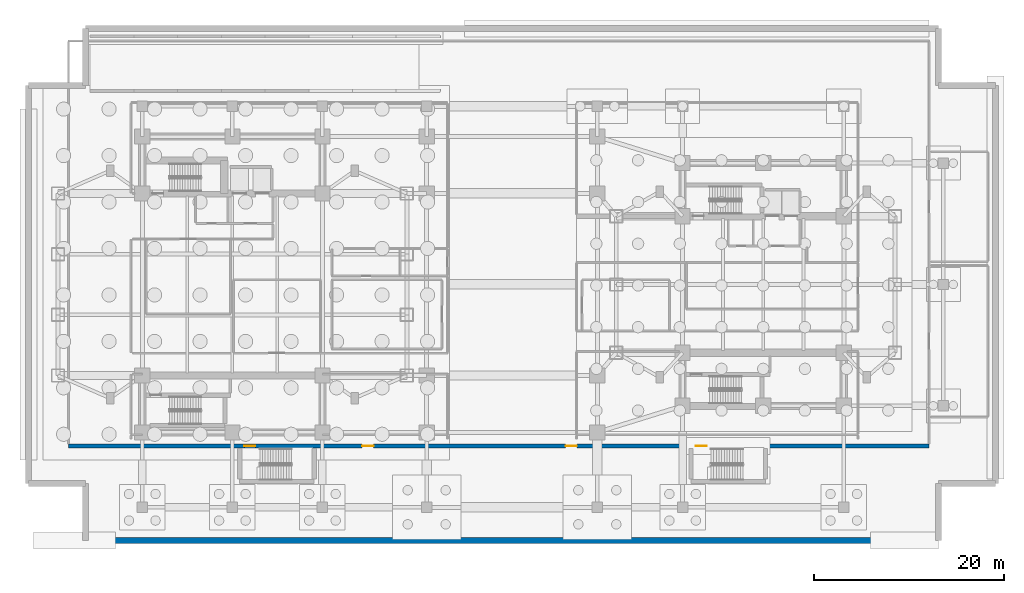
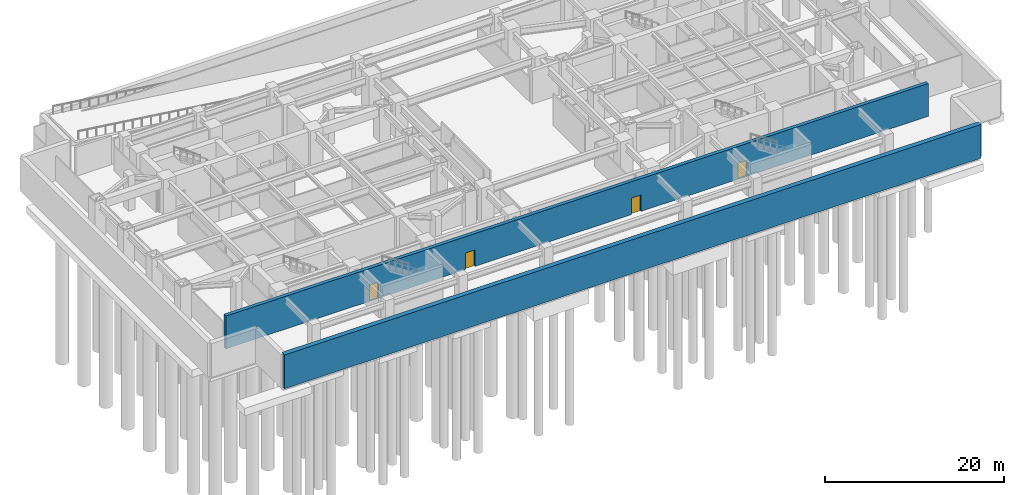
# One storey, part 6 of 16: 4 doors, 2 walls, 4 openings.
"""IFC4 building model written with IfcOpenShell, lengths in metres."""

import ifcopenshell
import ifcopenshell.guid

model = None  # the IFC model being written
_history = None  # IfcOwnerHistory: only IFC2X3 demands one
_inside = {}  # id of a spatial element -> (the spatial element, [elements in it])
_under = {}  # id of a project, library or spatial element -> (it, [spatial elements below it])
_declared = {}  # id of a project -> (the project, [libraries it declares])
_typed = {}  # id of a type object -> (the type object, [elements of that type])
_made_of = {}  # id of a material, layer set ... -> (it, [elements and type objects made of it])


def new_model(schema):
    """Start an empty IFC model of exactly this schema.

    Asked for "IFC4X3", IfcOpenShell would pick the latest addendum, in which some entities
    have other attributes; the version numbers below select the first issue.
    IFC2X3 requires an IfcOwnerHistory on every rooted entity: one is made here for all.
    """
    global model, _history
    if schema == "IFC4X3":
        model = ifcopenshell.file(schema_version=(4, 3, 0, 0))
    else:
        model = ifcopenshell.file(schema=schema)
    _inside.clear()
    _under.clear()
    _declared.clear()
    _typed.clear()
    _made_of.clear()
    _history = None
    if model.schema == "IFC2X3":
        org = make("IfcOrganization", Name="unknown")
        user = make(
            "IfcPersonAndOrganization",
            ThePerson=make("IfcPerson", FamilyName="unknown"),
            TheOrganization=org,
        )
        app = make(
            "IfcApplication",
            ApplicationDeveloper=org,
            Version="unknown",
            ApplicationFullName="unknown",
            ApplicationIdentifier="unknown",
        )
        _history = make(
            "IfcOwnerHistory",
            OwningUser=user,
            OwningApplication=app,
            ChangeAction="ADDED",
            CreationDate=0,
        )
    return model


def make(cls, **values):
    """One entity of the class cls with the attributes given. An attribute that is None is left unset."""
    return model.create_entity(
        cls, **{name: value for name, value in values.items() if value is not None}
    )


def rooted(cls, **values):
    """An entity with a GlobalId (a new one), such as an element, a storey or a relation."""
    return make(cls, GlobalId=ifcopenshell.guid.new(), OwnerHistory=_history, **values)


def si_unit(unit_type, name, prefix=None):
    """IfcSIUnit, for example si_unit("LENGTHUNIT", "METRE", prefix="MILLI")."""
    return make("IfcSIUnit", UnitType=unit_type, Prefix=prefix, Name=name)


def assignment(units):
    """IfcUnitAssignment: the units of a project."""
    return None if units is None else make("IfcUnitAssignment", Units=units)


def point(xyz):
    """IfcCartesianPoint."""
    return None if xyz is None else make("IfcCartesianPoint", Coordinates=xyz)


def direction(xyz):
    """IfcDirection."""
    return None if xyz is None else make("IfcDirection", DirectionRatios=xyz)


def frame(location, z_axis=None, x_axis=None):
    """IfcAxis2Placement3D, a coordinate frame: its origin and axes. An axis left out is left unset."""
    return make(
        "IfcAxis2Placement3D",
        Location=point(location),
        Axis=direction(z_axis),
        RefDirection=direction(x_axis),
    )


def frame_2d(location, x_axis=None):
    """IfcAxis2Placement2D, a coordinate frame in the plane: its origin and x axis."""
    return make(
        "IfcAxis2Placement2D", Location=point(location), RefDirection=direction(x_axis)
    )


def origin():
    """The frame at (0, 0, 0) with its axes left unset."""
    return frame((0.0, 0.0, 0.0))


def place(relative_to, where):
    """IfcLocalPlacement: puts the frame where relative to a parent placement (None: the world)."""
    return make(
        "IfcLocalPlacement", PlacementRelTo=relative_to, RelativePlacement=where
    )


def context(
    kind, dimensions, precision=None, world=None, true_north=None, identifier=None
):
    """IfcGeometricRepresentationContext, for example the 3D "Model" context."""
    return make(
        "IfcGeometricRepresentationContext",
        ContextIdentifier=identifier,
        ContextType=kind,
        CoordinateSpaceDimension=dimensions,
        Precision=precision,
        WorldCoordinateSystem=world,
        TrueNorth=true_north,
    )


def subcontext(parent, identifier, kind, view, scale=None):
    """IfcGeometricRepresentationSubContext, for example "Body" below "Model"."""
    return make(
        "IfcGeometricRepresentationSubContext",
        ContextIdentifier=identifier,
        ContextType=kind,
        ParentContext=parent,
        TargetScale=scale,
        TargetView=view,
    )


def project(units=None, contexts=None):
    """IfcProject with its units and contexts."""
    return rooted(
        "IfcProject",
        Name="project",
        RepresentationContexts=contexts,
        UnitsInContext=assignment(units),
    )


def spatial(cls, under=None, at=None, **own):
    """A site, building, storey or space (cls), placed at a placement, below another one or the project."""
    s = rooted(cls, ObjectPlacement=at, **own)
    if under is not None:
        _under.setdefault(under.id(), (under, []))[1].append(s)
    return s


def profile(cls, at=None, kind="AREA", **sizes):
    """A parametric profile (cls). Its sizes go by their IFC names, for example OverallWidth=200.0."""
    return make(cls, ProfileType=kind, Position=at, **sizes)


def rectangle(**sizes):
    """IfcRectangleProfileDef."""
    return profile("IfcRectangleProfileDef", **sizes)


def extrude(swept, where, along, depth):
    """IfcExtrudedAreaSolid: the profile swept, set in the frame where, extruded along a direction by depth."""
    return make(
        "IfcExtrudedAreaSolid",
        SweptArea=swept,
        Position=where,
        ExtrudedDirection=direction(along),
        Depth=depth,
    )


def shape(context_of_items, identifier, shape_type, items):
    """IfcShapeRepresentation: the items that make up one representation, for example the "Body"."""
    return make(
        "IfcShapeRepresentation",
        ContextOfItems=context_of_items,
        RepresentationIdentifier=identifier,
        RepresentationType=shape_type,
        Items=items,
    )


def material(Name=None, Category=None):
    """IfcMaterial."""
    return make("IfcMaterial", Name=Name, Category=Category)


def layer(
    of_material, thickness, ventilated=None, Name=None, Category=None, Priority=None
):
    """IfcMaterialLayer: one layer of a wall or slab, of a material (None: an air gap)."""
    return make(
        "IfcMaterialLayer",
        Material=of_material,
        LayerThickness=thickness,
        IsVentilated=ventilated,
        Name=Name,
        Category=Category,
        Priority=Priority,
    )


def layer_set(layers, Name=None):
    """IfcMaterialLayerSet."""
    return make("IfcMaterialLayerSet", MaterialLayers=layers, LayerSetName=Name)


def made_of(thing, what):
    """Note that an element or type object is made of a material, layer set ...; save() writes the relation."""
    if what is not None:
        _made_of.setdefault(what.id(), (what, []))[1].append(thing)
    return thing


def type_object(cls, material=None, **own):
    """A type object (cls), such as IfcWallType, which elements share."""
    return made_of(rooted(cls, **own), material)


def element(
    cls,
    number,
    at=None,
    inside=None,
    cuts=None,
    type_object=None,
    material=None,
    context=None,
    identifier="Body",
    shape_type=None,
    held_by="IfcProductDefinitionShape",
    body=None,
    shapes=None,
    **own,
):
    """One element of the class cls, such as IfcWall. Its Tag is "e" and its number.

    at: its placement. inside: the storey or other place that contains it. cuts: it is an
    opening in that element (IfcRelVoidsElement). A single representation is given by context,
    identifier, shape_type and body (its items); several are given by shapes. held_by: the class
    of the entity that holds the representations. save() writes the other relations.
    """
    e = rooted(cls, Tag="e%d" % number, ObjectPlacement=at, **own)
    if body is not None:
        shapes = [shape(context, identifier, shape_type, body)]
    if shapes is not None:
        e.Representation = make(held_by, Representations=shapes)
    if inside is not None:
        _inside.setdefault(inside.id(), (inside, []))[1].append(e)
    if cuts is not None:
        rooted(
            "IfcRelVoidsElement", RelatingBuildingElement=cuts, RelatedOpeningElement=e
        )
    if type_object is not None:
        _typed.setdefault(type_object.id(), (type_object, []))[1].append(e)
    return made_of(e, material)


def fill(opening, filler):
    """IfcRelFillsElement: the door or window that sits in an opening."""
    return rooted(
        "IfcRelFillsElement",
        RelatingOpeningElement=opening,
        RelatedBuildingElement=filler,
    )


def aggregate(whole, parts):
    """IfcRelAggregates: a whole, such as a stair, and the parts it consists of."""
    return rooted("IfcRelAggregates", RelatingObject=whole, RelatedObjects=parts)


def save(model, path):
    """Write the relations noted so far, then the file.

    IfcRelAggregates (storeys below a building ...), IfcRelContainedInSpatialStructure (elements
    in a storey), IfcRelDefinesByType, IfcRelAssociatesMaterial and IfcRelDeclares: one each for
    every whole, place, type object, material and project.
    """
    for whole, parts in _under.values():
        aggregate(whole, parts)
    for where, things in _inside.values():
        rooted(
            "IfcRelContainedInSpatialStructure",
            RelatedElements=things,
            RelatingStructure=where,
        )
    for kind, things in _typed.values():
        rooted("IfcRelDefinesByType", RelatedObjects=things, RelatingType=kind)
    for what, things in _made_of.values():
        rooted("IfcRelAssociatesMaterial", RelatedObjects=things, RelatingMaterial=what)
    for by, libraries in _declared.values():
        rooted("IfcRelDeclares", RelatingContext=by, RelatedDefinitions=libraries)
    model.write(path)


model = new_model("IFC4")

# Units and contexts
model_context = context("Model", 3, precision=1e-05, world=origin(), true_north=direction((0.0, 1.0)))
body_context = subcontext(model_context, "Body", "Model", "MODEL_VIEW")
ifc_project = project(units=[si_unit("LENGTHUNIT", "METRE"), si_unit("AREAUNIT", "SQUARE_METRE"), si_unit("VOLUMEUNIT", "CUBIC_METRE"), si_unit("PLANEANGLEUNIT", "RADIAN"), si_unit("MASSUNIT", "GRAM", prefix="KILO")], contexts=[model_context])

# Site, building, storey
site_placement = place(None, origin())
site = spatial("IfcSite", under=ifc_project, at=site_placement, CompositionType="ELEMENT")
building_placement = place(site_placement, origin())
building = spatial("IfcBuilding", under=site, at=building_placement, Name="Mirazonda Arch Towers", CompositionType="ELEMENT")
storey_placement = place(building_placement, frame((0.0, 0.0, -4.800048828125)))
storey = spatial("IfcBuildingStorey", under=building, at=storey_placement, Name="B1", CompositionType="ELEMENT", Elevation=-4.800048828125)

# Wall
ifc_material_1 = material(Name="Concrete C50/60", Category="concrete")
ifc_layer_1 = layer(ifc_material_1, 0.60009765625, Name="WALL-BSMT-RET-600")
ifc_layer_set_1 = layer_set([ifc_layer_1], Name="Concrete C50/60")
wall_type_1 = type_object("IfcWallType", Name="WALL-BSMT-RET-600", PredefinedType="USERDEFINED", material=ifc_layer_set_1)
wall_1_placement = place(storey_placement, frame((5.0, 1.0, 0.0), z_axis=(0.0, 0.0, 1.0), x_axis=(1.0, 0.0, 0.0)))
element("IfcWall", 1, at=wall_1_placement, inside=storey, type_object=wall_type_1, Name="B1 Perimeter Retaining Wall 1", ObjectType="RETAININGWALL", PredefinedType="USERDEFINED", context=body_context, shape_type="SweptSolid", body=[
    extrude(rectangle(XDim=90.0, YDim=0.60009765625, at=frame_2d((45.0, 0.0))), origin(), (0.0, 0.0, 1.0), 4.6201171875),
])

# Wall, openings, doors
ifc_layer_2 = layer(ifc_material_1, 0.449951171875, Name="WALL-CORE-450")
ifc_layer_set_2 = layer_set([ifc_layer_2], Name="Concrete C50/60")
wall_type_2 = type_object("IfcWallType", Name="WALL-CORE-450", PredefinedType="SHEAR", material=ifc_layer_set_2)
wall_2_placement = place(storey_placement, frame((3.199951171875, 10.949951171875, 0.0), z_axis=(0.0, 0.0, 1.0), x_axis=(1.0, 0.0, 0.0)))
wall_2 = element("IfcWall", 2, at=wall_2_placement, inside=storey, type_object=wall_type_2, Name="B1 Stair Core Shear Wall 003", PredefinedType="SHEAR", context=body_context, shape_type="SweptSolid", body=[
    extrude(rectangle(XDim=90.800048828125, YDim=0.449951171875, at=frame_2d((45.39990234375, 0.0))), origin(), (0.0, 0.0, 1.0), 4.47998046875),
])
opening_1_placement = place(wall_2_placement, frame((18.570068359375, 0.0, 0.0)))
opening_1 = element("IfcOpeningElement", 3, at=opening_1_placement, cuts=wall_2, Name="Opening DR-135", PredefinedType="OPENING", context=body_context, shape_type="SweptSolid", body=[
    extrude(rectangle(XDim=1.14990234375, YDim=2.199951171875, at=frame_2d((0.574951171875, 1.10009765625))), frame((0.0, 0.23486328125, 0.0), z_axis=(0.0, -1.0, 0.0), x_axis=(1.0, 0.0, 0.0)), (0.0, 0.0, 1.0), 0.469970703125),
])
opening_2_placement = place(wall_2_placement, frame((66.169921875, 0.0, 0.0)))
opening_2 = element("IfcOpeningElement", 4, at=opening_2_placement, cuts=wall_2, Name="Opening DR-135", PredefinedType="OPENING", context=body_context, shape_type="SweptSolid", body=[
    extrude(rectangle(XDim=1.14990234375, YDim=2.199951171875, at=frame_2d((0.574951171875, 1.10009765625))), frame((0.0, 0.23486328125, 0.0), z_axis=(0.0, -1.0, 0.0), x_axis=(1.0, 0.0, 0.0)), (0.0, 0.0, 1.0), 0.469970703125),
])
opening_3_placement = place(wall_2_placement, frame((31.0, 0.0, 0.0)))
opening_3 = element("IfcOpeningElement", 5, at=opening_3_placement, cuts=wall_2, Name="Opening DR-117", PredefinedType="OPENING", context=body_context, shape_type="SweptSolid", body=[
    extrude(rectangle(XDim=1.199951171875, YDim=2.25, at=frame_2d((0.60009765625, 1.125))), frame((0.0, 0.23486328125, 0.0), z_axis=(0.0, -1.0, 0.0), x_axis=(1.0, 0.0, 0.0)), (0.0, 0.0, 1.0), 0.469970703125),
])
opening_4_placement = place(wall_2_placement, frame((52.449951171875, 0.0, 0.0)))
opening_4 = element("IfcOpeningElement", 6, at=opening_4_placement, cuts=wall_2, Name="Opening DR-117", PredefinedType="OPENING", context=body_context, shape_type="SweptSolid", body=[
    extrude(rectangle(XDim=1.199951171875, YDim=2.25, at=frame_2d((0.60009765625, 1.125))), frame((0.0, 0.23486328125, 0.0), z_axis=(0.0, -1.0, 0.0), x_axis=(1.0, 0.0, 0.0)), (0.0, 0.0, 1.0), 0.469970703125),
])
ifc_material_2 = material(Name="Architectural Brushed Steel S355", Category="steel")
door_type_1 = type_object("IfcDoorType", Name="DOOR-FFL-FD90-1200", OperationType="NOTDEFINED", PredefinedType="DOOR", material=ifc_material_2)
door_1_placement = place(opening_3_placement, origin())
door_1 = element("IfcDoor", 7, at=door_1_placement, inside=storey, type_object=door_type_1, Name="B1 South-West Parking Zone (Bays P01-P15) Door", OperationType="SINGLE_SWING_RIGHT", OverallHeight=2.25, OverallWidth=1.199951171875, PredefinedType="DOOR", context=body_context, shape_type="SweptSolid", body=[
    extrude(rectangle(XDim=1.199951171875, YDim=2.25, at=frame_2d((0.60009765625, 1.125))), frame((0.0, 0.02490234375, 0.0), z_axis=(0.0, -1.0, 0.0), x_axis=(1.0, 0.0, 0.0)), (0.0, 0.0, 1.0), 0.050048828125),
])
fill(opening_3, door_1)
door_2_placement = place(opening_4_placement, origin())
door_2 = element("IfcDoor", 8, at=door_2_placement, inside=storey, type_object=door_type_1, Name="B1 South-East & Accessible Parking Zone (Bays P16-P30) Door", OperationType="SINGLE_SWING_LEFT", OverallHeight=2.25, OverallWidth=1.199951171875, PredefinedType="DOOR", context=body_context, shape_type="SweptSolid", body=[
    extrude(rectangle(XDim=1.199951171875, YDim=2.25, at=frame_2d((0.60009765625, 1.125))), frame((0.0, 0.02490234375, 0.0), z_axis=(0.0, -1.0, 0.0), x_axis=(1.0, 0.0, 0.0)), (0.0, 0.0, 1.0), 0.050048828125),
])
fill(opening_4, door_2)
door_type_2 = type_object("IfcDoorType", Name="DOOR-STAIR-FD90-1150", OperationType="NOTDEFINED", PredefinedType="DOOR", material=ifc_material_2)
door_3_placement = place(opening_1_placement, origin())
door_3 = element("IfcDoor", 9, at=door_3_placement, inside=storey, type_object=door_type_2, Name="B1 Protected Podium Stair West Door", OperationType="SINGLE_SWING_LEFT", OverallHeight=2.199951171875, OverallWidth=1.14990234375, PredefinedType="DOOR", context=body_context, shape_type="SweptSolid", body=[
    extrude(rectangle(XDim=1.14990234375, YDim=2.199951171875, at=frame_2d((0.574951171875, 1.10009765625))), frame((0.0, 0.02490234375, 0.0), z_axis=(0.0, -1.0, 0.0), x_axis=(1.0, 0.0, 0.0)), (0.0, 0.0, 1.0), 0.050048828125),
])
fill(opening_1, door_3)
door_4_placement = place(opening_2_placement, origin())
door_4 = element("IfcDoor", 10, at=door_4_placement, inside=storey, type_object=door_type_2, Name="B1 Protected Podium Stair East Door", OperationType="SINGLE_SWING_RIGHT", OverallHeight=2.199951171875, OverallWidth=1.14990234375, PredefinedType="DOOR", context=body_context, shape_type="SweptSolid", body=[
    extrude(rectangle(XDim=1.14990234375, YDim=2.199951171875, at=frame_2d((0.574951171875, 1.10009765625))), frame((0.0, 0.02490234375, 0.0), z_axis=(0.0, -1.0, 0.0), x_axis=(1.0, 0.0, 0.0)), (0.0, 0.0, 1.0), 0.050048828125),
])
fill(opening_2, door_4)

save(model, "model.ifc")
